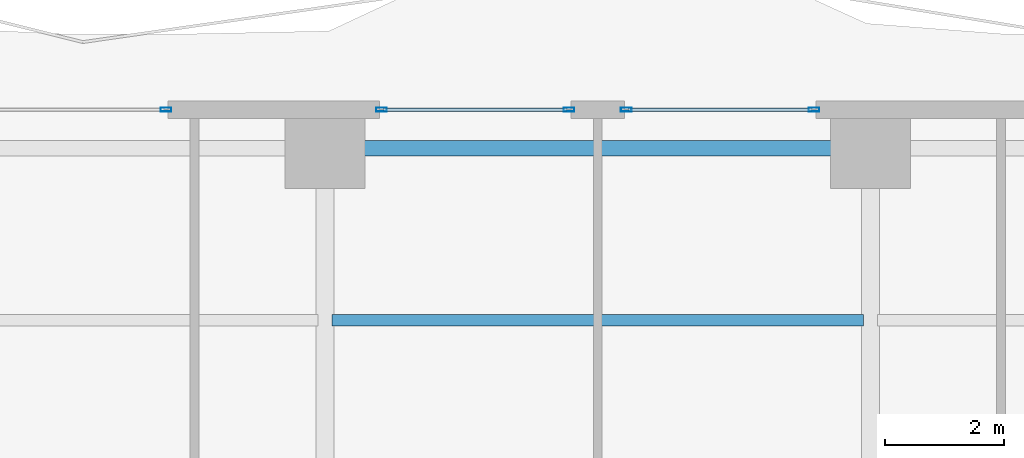
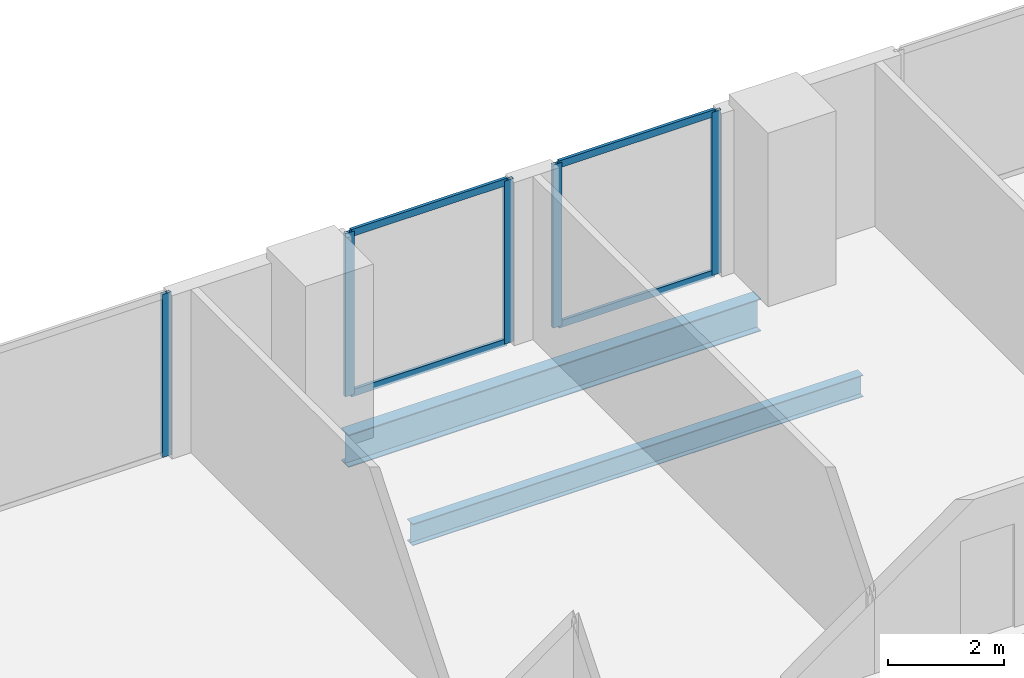
# One storey, part 17 of 30: 9 members, 2 beams, 3 elements without a shape of their own.
"""IFC4 building model written with IfcOpenShell, lengths in metres."""

from ifc_helpers import new_model, si_unit, direction, frame, origin, origin_2d, place, context, subcontext, project, spatial, hollow_rectangle, i_section, extrude, material, layer, layer_set, material_profile, profile_set, type_object, element, aggregate, save


model = new_model("IFC4")

# Units and contexts
model_context = context("Model", 3, precision=1e-05, world=origin(), true_north=direction((0.0, 1.0)))
body_context = subcontext(model_context, "Body", "Model", "MODEL_VIEW")
ifc_project = project(units=[si_unit("LENGTHUNIT", "METRE"), si_unit("AREAUNIT", "SQUARE_METRE"), si_unit("VOLUMEUNIT", "CUBIC_METRE"), si_unit("PLANEANGLEUNIT", "RADIAN"), si_unit("MASSUNIT", "GRAM", prefix="KILO")], contexts=[model_context])

# Site, building, storey
site_placement = place(None, origin())
site = spatial("IfcSite", under=ifc_project, at=site_placement, CompositionType="ELEMENT")
building_placement = place(site_placement, origin())
building = spatial("IfcBuilding", under=site, at=building_placement, Name="Zuhayl Quay Hotel", CompositionType="ELEMENT")
storey_placement = place(building_placement, frame((0.0, 0.0, 135.800048828125)))
storey = spatial("IfcBuildingStorey", under=building, at=storey_placement, Name="L34", CompositionType="ELEMENT", Elevation=135.800048828125)

# Beams
ifc_material_1 = material(Name="Steel ASTM A992 Grade 50", Category="steel")
ifc_material_profile_1 = material_profile(ifc_material_1, i_section(OverallWidth=0.25390625, OverallDepth=0.68310546875, WebThickness=0.012451171875, FlangeThickness=0.018798828125, at=origin_2d()), Name="W27X94")
ifc_profile_set_1 = profile_set([ifc_material_profile_1], Name="Steel ASTM A992 Grade 50")
beam_type_1 = type_object("IfcBeamType", Name="BM_B2_W27X94", PredefinedType="BEAM", material=ifc_profile_set_1)
beam_1_placement = place(storey_placement, frame((4.10009765625, 27.75, -0.5615234375), z_axis=(-1.0, 0.0, 0.0), x_axis=(0.0, -1.0, 0.0)))
element("IfcBeam", 1, at=beam_1_placement, inside=storey, type_object=beam_type_1, Name="L34 Floor Beam RG_L34_08", PredefinedType="BEAM", context=body_context, shape_type="SweptSolid", body=[
    extrude(i_section(OverallWidth=0.25390625, OverallDepth=0.68310546875, WebThickness=0.012451171875, FlangeThickness=0.018798828125, at=origin_2d()), origin(), (0.0, 0.0, 1.0), 8.2001953125),
])
ifc_material_profile_2 = material_profile(ifc_material_1, i_section(OverallWidth=0.18994140625, OverallDepth=0.45703125, WebThickness=0.009033203125, FlangeThickness=0.014404296875, at=origin_2d()), Name="W18X50")
ifc_profile_set_2 = profile_set([ifc_material_profile_2], Name="Steel ASTM A992 Grade 50")
beam_type_2 = type_object("IfcBeamType", Name="BM_J2_W18X50", PredefinedType="JOIST", material=ifc_profile_set_2)
beam_2_placement = place(storey_placement, frame((-4.48095703125, 24.85009765625, -0.448486328125), z_axis=(1.0, 0.0, 0.0), x_axis=(0.0, 1.0, 0.0)))
element("IfcBeam", 2, at=beam_2_placement, inside=storey, type_object=beam_type_2, Name="L34 Floor Beam FJ_L34_4_2", PredefinedType="JOIST", context=body_context, shape_type="SweptSolid", body=[
    extrude(i_section(OverallWidth=0.18994140625, OverallDepth=0.45703125, WebThickness=0.009033203125, FlangeThickness=0.014404296875, at=origin_2d()), origin(), (0.0, 0.0, 1.0), 8.9619140625),
])

# Curtain wall, member
ifc_material_2 = material(Name="Anodised Aluminium 6063-T6", Category="aluminium")
ifc_layer = layer(ifc_material_2, 0.179931640625, Name="Anodised Aluminium 6063-T6", Category="aluminium")
ifc_layer_set = layer_set([ifc_layer], Name="Anodised Aluminium 6063-T6")
curtain_wall_type = type_object("IfcCurtainWallType", Name="CW_SYS_Z2", PredefinedType="USERDEFINED", material=ifc_layer_set)
curtain_wall_1_placement = place(storey_placement, origin())
curtain_wall_1 = element("IfcCurtainWall", 3, at=curtain_wall_1_placement, inside=storey, type_object=curtain_wall_type, Name="L34 Curtain Wall ENV_L34_N_CW2", ObjectType="UNITISED CURTAIN WALL", PredefinedType="USERDEFINED")
ifc_material_3 = material(Name="Black-anodised aluminium 6063-T6", Category="aluminium")
ifc_material_profile_3 = material_profile(ifc_material_3, hollow_rectangle(XDim=0.06494140625, YDim=0.179931640625, WallThickness=0.00341796875, at=origin_2d()), Name="ALU180X65")
ifc_profile_set_3 = profile_set([ifc_material_profile_3], Name="Black-anodised aluminium 6063-T6")
member_type_1 = type_object("IfcMemberType", Name="MB_CW_MUL_180", PredefinedType="MULLION", material=ifc_profile_set_3)
member_1_placement = place(storey_placement, frame((-7.282470703125, 28.39990234375, 0.0), z_axis=(0.0, 0.0, 1.0), x_axis=(0.0, 1.0, 0.0)))
member_1 = element("IfcMember", 4, at=member_1_placement, type_object=member_type_1, Name="CW-Z2 mullion 2", PredefinedType="MULLION", context=body_context, shape_type="SweptSolid", body=[
    extrude(hollow_rectangle(XDim=0.06494140625, YDim=0.179931640625, WallThickness=0.00341796875, at=origin_2d()), origin(), (0.0, 0.0, 1.0), 3.429931640625),
])
aggregate(curtain_wall_1, [member_1])

# Curtain wall, members
curtain_wall_2_placement = place(storey_placement, origin())
curtain_wall_2 = element("IfcCurtainWall", 5, at=curtain_wall_2_placement, inside=storey, type_object=curtain_wall_type, Name="L34 Curtain Wall ENV_L34_N_CW3", ObjectType="UNITISED CURTAIN WALL", PredefinedType="USERDEFINED")
member_2_placement = place(storey_placement, frame((-3.6474609375, 28.39990234375, 0.0), z_axis=(0.0, 0.0, 1.0), x_axis=(0.0, 1.0, 0.0)))
member_2 = element("IfcMember", 6, at=member_2_placement, type_object=member_type_1, Name="CW-Z2 mullion 1", PredefinedType="MULLION", context=body_context, shape_type="SweptSolid", body=[
    extrude(hollow_rectangle(XDim=0.06494140625, YDim=0.179931640625, WallThickness=0.00341796875, at=origin_2d()), origin(), (0.0, 0.0, 1.0), 3.429931640625),
])
member_3_placement = place(storey_placement, frame((-0.482421875, 28.39990234375, 0.0), z_axis=(0.0, 0.0, 1.0), x_axis=(0.0, 1.0, 0.0)))
member_3 = element("IfcMember", 7, at=member_3_placement, type_object=member_type_1, Name="CW-Z2 mullion 2", PredefinedType="MULLION", context=body_context, shape_type="SweptSolid", body=[
    extrude(hollow_rectangle(XDim=0.06494140625, YDim=0.179931640625, WallThickness=0.00341796875, at=origin_2d()), origin(), (0.0, 0.0, 1.0), 3.429931640625),
])

curtain_wall_3_placement = place(storey_placement, origin())
curtain_wall_3 = element("IfcCurtainWall", 8, at=curtain_wall_3_placement, inside=storey, type_object=curtain_wall_type, Name="L34 Curtain Wall ENV_L34_N_CW4", ObjectType="UNITISED CURTAIN WALL", PredefinedType="USERDEFINED")
member_4_placement = place(storey_placement, frame((0.482421875, 28.39990234375, 0.0), z_axis=(0.0, 0.0, 1.0), x_axis=(0.0, 1.0, 0.0)))
member_4 = element("IfcMember", 9, at=member_4_placement, type_object=member_type_1, Name="CW-Z2 mullion 1", PredefinedType="MULLION", context=body_context, shape_type="SweptSolid", body=[
    extrude(hollow_rectangle(XDim=0.06494140625, YDim=0.179931640625, WallThickness=0.00341796875, at=origin_2d()), origin(), (0.0, 0.0, 1.0), 3.429931640625),
])
member_5_placement = place(storey_placement, frame((3.6474609375, 28.39990234375, 0.0), z_axis=(0.0, 0.0, 1.0), x_axis=(0.0, 1.0, 0.0)))
member_5 = element("IfcMember", 10, at=member_5_placement, type_object=member_type_1, Name="CW-Z2 mullion 2", PredefinedType="MULLION", context=body_context, shape_type="SweptSolid", body=[
    extrude(hollow_rectangle(XDim=0.06494140625, YDim=0.179931640625, WallThickness=0.00341796875, at=origin_2d()), origin(), (0.0, 0.0, 1.0), 3.429931640625),
])

# Member
ifc_material_profile_4 = material_profile(ifc_material_3, hollow_rectangle(XDim=0.06005859375, YDim=0.14990234375, WallThickness=0.00341796875, at=origin_2d()), Name="ALU150X60")
ifc_profile_set_4 = profile_set([ifc_material_profile_4], Name="Black-anodised aluminium 6063-T6")
member_type_2 = type_object("IfcMemberType", Name="MB_CW_TRN_150", PredefinedType="USERDEFINED", material=ifc_profile_set_4)
member_6_placement = place(storey_placement, frame((-3.614990234375, 28.39990234375, 0.030029296875), z_axis=(1.0, 0.0, 0.0), x_axis=(0.0, 1.0, 0.0)))
member_6 = element("IfcMember", 11, at=member_6_placement, type_object=member_type_2, Name="CW-Z2 transom 1.1", ObjectType="TRANSOM", PredefinedType="USERDEFINED", context=body_context, shape_type="SweptSolid", body=[
    extrude(hollow_rectangle(XDim=0.06005859375, YDim=0.14990234375, WallThickness=0.00341796875, at=origin_2d()), origin(), (0.0, 0.0, 1.0), 3.10009765625),
])

member_7_placement = place(storey_placement, frame((-3.614990234375, 28.39990234375, 3.39990234375), z_axis=(1.0, 0.0, 0.0), x_axis=(0.0, 1.0, 0.0)))
member_7 = element("IfcMember", 12, at=member_7_placement, type_object=member_type_2, Name="CW-Z2 transom 1.2", ObjectType="TRANSOM", PredefinedType="USERDEFINED", context=body_context, shape_type="SweptSolid", body=[
    extrude(hollow_rectangle(XDim=0.06005859375, YDim=0.14990234375, WallThickness=0.00341796875, at=origin_2d()), origin(), (0.0, 0.0, 1.0), 3.10009765625),
])

aggregate(curtain_wall_2, [member_2, member_3, member_6, member_7])

member_8_placement = place(storey_placement, frame((0.514892578125, 28.39990234375, 0.030029296875), z_axis=(1.0, 0.0, 0.0), x_axis=(0.0, 1.0, 0.0)))
member_8 = element("IfcMember", 13, at=member_8_placement, type_object=member_type_2, Name="CW-Z2 transom 1.1", ObjectType="TRANSOM", PredefinedType="USERDEFINED", context=body_context, shape_type="SweptSolid", body=[
    extrude(hollow_rectangle(XDim=0.06005859375, YDim=0.14990234375, WallThickness=0.00341796875, at=origin_2d()), origin(), (0.0, 0.0, 1.0), 3.10009765625),
])

member_9_placement = place(storey_placement, frame((0.514892578125, 28.39990234375, 3.39990234375), z_axis=(1.0, 0.0, 0.0), x_axis=(0.0, 1.0, 0.0)))
member_9 = element("IfcMember", 14, at=member_9_placement, type_object=member_type_2, Name="CW-Z2 transom 1.2", ObjectType="TRANSOM", PredefinedType="USERDEFINED", context=body_context, shape_type="SweptSolid", body=[
    extrude(hollow_rectangle(XDim=0.06005859375, YDim=0.14990234375, WallThickness=0.00341796875, at=origin_2d()), origin(), (0.0, 0.0, 1.0), 3.10009765625),
])

aggregate(curtain_wall_3, [member_4, member_5, member_8, member_9])

save(model, "model.ifc")
